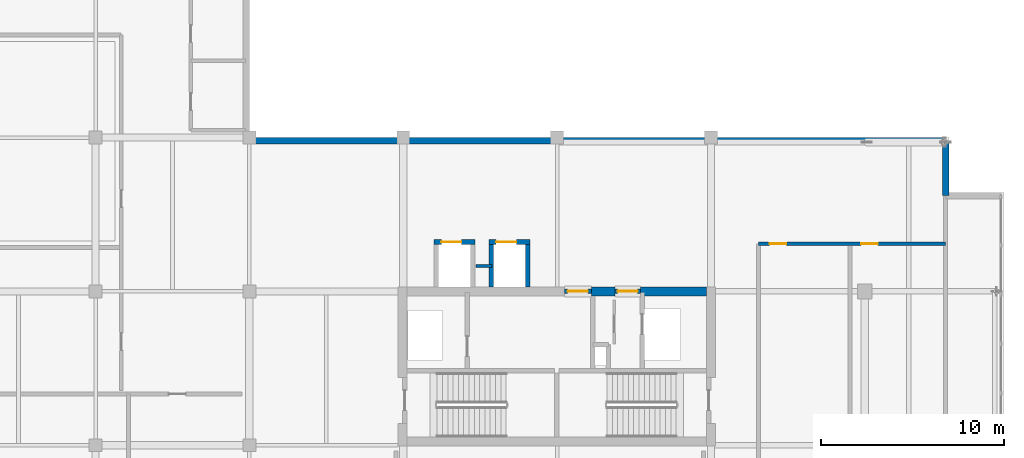
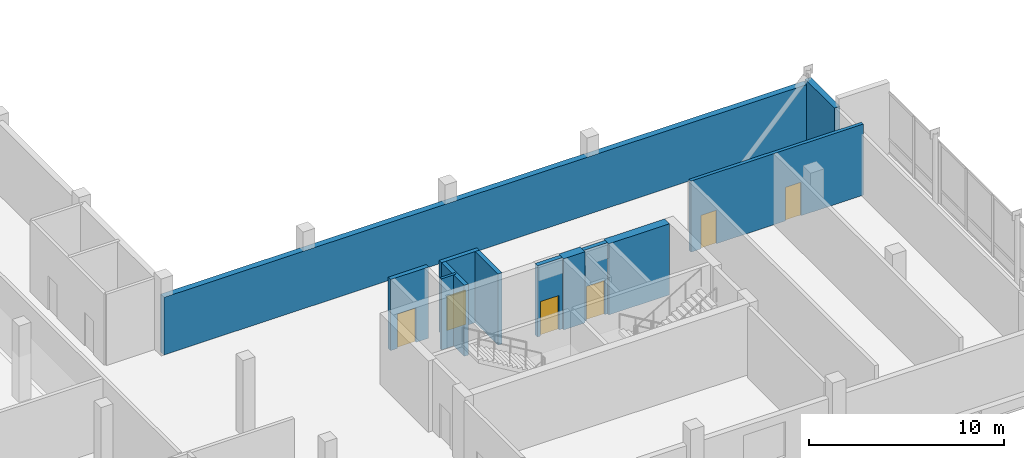
# One storey, part 11 of 18: 12 walls, 6 doors, 6 openings.
"""IFC4 building model written with IfcOpenShell, lengths in metres."""

from ifc_helpers import new_model, si_unit, direction, frame, frame_2d, origin, place, context, subcontext, project, spatial, rectangle, extrude, material, layer, layer_set, type_object, element, fill, save


model = new_model("IFC4")

# Units and contexts
model_context = context("Model", 3, precision=1e-05, world=origin(), true_north=direction((0.0, 1.0)))
body_context = subcontext(model_context, "Body", "Model", "MODEL_VIEW")
ifc_project = project(units=[si_unit("LENGTHUNIT", "METRE"), si_unit("AREAUNIT", "SQUARE_METRE"), si_unit("VOLUMEUNIT", "CUBIC_METRE"), si_unit("PLANEANGLEUNIT", "RADIAN"), si_unit("MASSUNIT", "GRAM", prefix="KILO")], contexts=[model_context])

# Site, building, storey
site_placement = place(None, origin())
site = spatial("IfcSite", under=ifc_project, at=site_placement, CompositionType="ELEMENT")
building_placement = place(site_placement, origin())
building = spatial("IfcBuilding", under=site, at=building_placement, Name="Koriwani Terraces Tower", CompositionType="ELEMENT")
storey_placement = place(building_placement, frame((0.0, 0.0, 363.800048828125)))
storey = spatial("IfcBuildingStorey", under=building, at=storey_placement, Name="L90", CompositionType="ELEMENT", Elevation=363.800048828125)

# Walls
ifc_material_1 = material(Name="Concrete C50/60", Category="concrete")
ifc_layer_1 = layer(ifc_material_1, 0.5, Name="Concrete C50/60")
ifc_layer_set_1 = layer_set([ifc_layer_1], Name="Concrete C50/60")
wall_type_1 = type_object("IfcWallType", Name="WALL_CORE_RC_500", PredefinedType="SHEAR", material=ifc_layer_set_1)
wall_1_placement = place(storey_placement, frame((52.280029296875, 25.199951171875, 0.0), z_axis=(0.0, 0.0, 1.0), x_axis=(1.0, 0.0, 0.0)))
element("IfcWall", 1, at=wall_1_placement, inside=storey, type_object=wall_type_1, Name="L90 East Split Core Shear Wall N2", PredefinedType="SHEAR", context=body_context, shape_type="SweptSolid", body=[
    extrude(rectangle(XDim=1.27001953125, YDim=0.5, at=frame_2d((0.635009765625, 0.0))), origin(), (0.0, 0.0, 1.0), 4.449951171875),
])
wall_2_placement = place(storey_placement, frame((54.949951171875, 25.199951171875, 0.0), z_axis=(0.0, 0.0, 1.0), x_axis=(1.0, 0.0, 0.0)))
element("IfcWall", 2, at=wall_2_placement, inside=storey, type_object=wall_type_1, Name="L90 East Split Core Shear Wall N3", PredefinedType="SHEAR", context=body_context, shape_type="SweptSolid", body=[
    extrude(rectangle(XDim=3.60009765625, YDim=0.5, at=frame_2d((1.800048828125, 0.0))), origin(), (0.0, 0.0, 1.0), 4.449951171875),
])

# Wall, openings, doors
ifc_material_2 = material(Name="Autoclaved Cellular Concrete Blockwork", Category="masonry")
ifc_layer_2 = layer(ifc_material_2, 0.199951171875, Name="Autoclaved Cellular Concrete Blockwork")
ifc_layer_set_2 = layer_set([ifc_layer_2], Name="Autoclaved Cellular Concrete Blockwork")
wall_type_2 = type_object("IfcWallType", Name="WALL_CORRIDOR_200", PredefinedType="PARTITIONING", material=ifc_layer_set_2)
wall_3_placement = place(storey_placement, frame((61.39990234375, 27.800048828125, 0.0), z_axis=(0.0, 0.0, 1.0), x_axis=(1.0, 0.0, 0.0)))
wall_3 = element("IfcWall", 3, at=wall_3_placement, inside=storey, type_object=wall_type_2, Name="L90 Interior Wall WSKY-E1-L90", PredefinedType="PARTITIONING", context=body_context, shape_type="SweptSolid", body=[
    extrude(rectangle(XDim=10.2001953125, YDim=0.199951171875, at=frame_2d((5.10009765625, 0.0))), origin(), (0.0, 0.0, 1.0), 4.449951171875),
])
opening_1_placement = place(wall_3_placement, frame((0.60009765625, 0.0, 0.0)))
opening_1 = element("IfcOpeningElement", 4, at=opening_1_placement, cuts=wall_3, Name="Opening D-06", PredefinedType="OPENING", context=body_context, shape_type="SweptSolid", body=[
    extrude(rectangle(XDim=0.919921875, YDim=2.10009765625, at=frame_2d((0.4599609375, 1.050048828125))), frame((0.0, 0.10986328125, 0.0), z_axis=(0.0, -1.0, 0.0), x_axis=(1.0, 0.0, 0.0)), (0.0, 0.0, 1.0), 0.219970703125),
])
opening_2_placement = place(wall_3_placement, frame((5.60009765625, 0.0, 0.0)))
opening_2 = element("IfcOpeningElement", 5, at=opening_2_placement, cuts=wall_3, Name="Opening D-06", PredefinedType="OPENING", context=body_context, shape_type="SweptSolid", body=[
    extrude(rectangle(XDim=0.919921875, YDim=2.10009765625, at=frame_2d((0.4599609375, 1.050048828125))), frame((0.0, 0.10986328125, 0.0), z_axis=(0.0, -1.0, 0.0), x_axis=(1.0, 0.0, 0.0)), (0.0, 0.0, 1.0), 0.219970703125),
])
ifc_material_3 = material(Name="Architectural Oak Fire Door", Category="wood")
door_type_1 = type_object("IfcDoorType", Name="DOOR_ROOM_INT_920X2100", OperationType="NOTDEFINED", PredefinedType="DOOR", material=ifc_material_3)
door_1_placement = place(opening_1_placement, origin())
door_1 = element("IfcDoor", 6, at=door_1_placement, inside=storey, type_object=door_type_1, Name="L90 South Panorama Lounge Door", OperationType="SINGLE_SWING_RIGHT", OverallHeight=2.10009765625, OverallWidth=0.919921875, PredefinedType="DOOR", context=body_context, shape_type="SweptSolid", body=[
    extrude(rectangle(XDim=0.919921875, YDim=2.10009765625, at=frame_2d((0.4599609375, 1.050048828125))), frame((0.0, 0.02490234375, 0.0), z_axis=(0.0, -1.0, 0.0), x_axis=(1.0, 0.0, 0.0)), (0.0, 0.0, 1.0), 0.050048828125),
])
fill(opening_1, door_1)
door_2_placement = place(opening_2_placement, origin())
door_2 = element("IfcDoor", 7, at=door_2_placement, inside=storey, type_object=door_type_1, Name="L90 Cantilevered Sky Lounge Door", OperationType="SINGLE_SWING_LEFT", OverallHeight=2.10009765625, OverallWidth=0.919921875, PredefinedType="DOOR", context=body_context, shape_type="SweptSolid", body=[
    extrude(rectangle(XDim=0.919921875, YDim=2.10009765625, at=frame_2d((0.4599609375, 1.050048828125))), frame((0.0, 0.02490234375, 0.0), z_axis=(0.0, -1.0, 0.0), x_axis=(1.0, 0.0, 0.0)), (0.0, 0.0, 1.0), 0.050048828125),
])
fill(opening_2, door_2)

# Walls
ifc_layer_3 = layer(ifc_material_1, 0.35009765625, Name="Concrete C50/60")
ifc_layer_set_3 = layer_set([ifc_layer_3], Name="Concrete C50/60")
wall_type_3 = type_object("IfcWallType", Name="WALL_EXT_BRUTALIST_350", PredefinedType="STANDARD", material=ifc_layer_set_3)
wall_4_placement = place(storey_placement, frame((33.425048828125, 33.425048828125, 0.0), z_axis=(0.0, 0.0, 1.0), x_axis=(1.0, 0.0, 0.0)))
element("IfcWall", 8, at=wall_4_placement, inside=storey, type_object=wall_type_3, Name="L90 Fair-Faced Brutalist Exterior Wall (NE)", PredefinedType="STANDARD", context=body_context, shape_type="SweptSolid", body=[
    extrude(rectangle(XDim=38.199951171875, YDim=0.35009765625, at=frame_2d((19.10009765625, 0.0))), origin(), (0.0, 0.0, 1.0), 3.598876953125),
])
wall_5_placement = place(storey_placement, frame((71.625, 33.425048828125, 0.0), z_axis=(0.0, 0.0, 1.0), x_axis=(0.0, -1.0, 0.0)))
element("IfcWall", 9, at=wall_5_placement, inside=storey, type_object=wall_type_3, Name="L90 Fair-Faced Brutalist Exterior Wall (N10)", PredefinedType="STANDARD", context=body_context, shape_type="SweptSolid", body=[
    extrude(rectangle(XDim=3.0, YDim=0.35009765625, at=frame_2d((1.5, 0.0))), origin(), (0.0, 0.0, 1.0), 3.8388671875),
])

# Wall, opening, door
ifc_material_4 = material(Name="Concrete C40/50", Category="concrete")
ifc_layer_4 = layer(ifc_material_4, 0.25, Name="Concrete C40/50")
ifc_layer_set_4 = layer_set([ifc_layer_4], Name="Concrete C40/50")
wall_type_4 = type_object("IfcWallType", Name="WALL_SHAFT_RATED_250", PredefinedType="SOLIDWALL", material=ifc_layer_set_4)
wall_6_placement = place(storey_placement, frame((50.800048828125, 25.199951171875, 0.0), z_axis=(0.0, 0.0, 1.0), x_axis=(1.0, 0.0, 0.0)))
wall_6 = element("IfcWall", 10, at=wall_6_placement, inside=storey, type_object=wall_type_4, Name="L90 Interior Wall WIN-CE-L90-NP", PredefinedType="SOLIDWALL", context=body_context, shape_type="SweptSolid", body=[
    extrude(rectangle(XDim=1.47998046875, YDim=0.25, at=frame_2d((0.739990234375, 0.0))), origin(), (0.0, 0.0, 1.0), 4.449951171875),
])
opening_3_placement = place(wall_6_placement, frame((0.179931640625, 0.0, 0.0)))
opening_3 = element("IfcOpeningElement", 11, at=opening_3_placement, cuts=wall_6, Name="Opening D-03", PredefinedType="OPENING", context=body_context, shape_type="SweptSolid", body=[
    extrude(rectangle(XDim=1.10009765625, YDim=2.14990234375, at=frame_2d((0.550048828125, 1.074951171875))), frame((0.0, 0.135009765625, 0.0), z_axis=(0.0, -1.0, 0.0), x_axis=(1.0, 0.0, 0.0)), (0.0, 0.0, 1.0), 0.27001953125),
])
ifc_material_5 = material(Name="Steel ASTM A572 Grade 50", Category="steel")
door_type_2 = type_object("IfcDoorType", Name="DOOR_STAIR_FIRE_1100X2150", OperationType="NOTDEFINED", PredefinedType="DOOR", material=ifc_material_5)
door_3_placement = place(opening_3_placement, origin())
door_3 = element("IfcDoor", 12, at=door_3_placement, inside=storey, type_object=door_type_2, Name="L90 East Firefighting Lobby Door", OperationType="SINGLE_SWING_LEFT", OverallHeight=2.14990234375, OverallWidth=1.10009765625, PredefinedType="DOOR", context=body_context, shape_type="SweptSolid", body=[
    extrude(rectangle(XDim=1.10009765625, YDim=2.14990234375, at=frame_2d((0.550048828125, 1.074951171875))), frame((0.0, 0.02490234375, 0.0), z_axis=(0.0, -1.0, 0.0), x_axis=(1.0, 0.0, 0.0)), (0.0, 0.0, 1.0), 0.050048828125),
])
fill(opening_3, door_3)

wall_7_placement = place(storey_placement, frame((53.550048828125, 25.199951171875, 0.0), z_axis=(0.0, 0.0, 1.0), x_axis=(1.0, 0.0, 0.0)))
wall_7 = element("IfcWall", 13, at=wall_7_placement, inside=storey, type_object=wall_type_4, Name="L90 Interior Wall WIN-CE-L90-NP2", PredefinedType="SOLIDWALL", context=body_context, shape_type="SweptSolid", body=[
    extrude(rectangle(XDim=1.39990234375, YDim=0.25, at=frame_2d((0.699951171875, 0.0))), origin(), (0.0, 0.0, 1.0), 4.449951171875),
])
opening_4_placement = place(wall_7_placement, frame((0.14990234375, 0.0, 0.0)))
opening_4 = element("IfcOpeningElement", 14, at=opening_4_placement, cuts=wall_7, Name="Opening D-03", PredefinedType="OPENING", context=body_context, shape_type="SweptSolid", body=[
    extrude(rectangle(XDim=1.10009765625, YDim=2.14990234375, at=frame_2d((0.550048828125, 1.074951171875))), frame((0.0, 0.135009765625, 0.0), z_axis=(0.0, -1.0, 0.0), x_axis=(1.0, 0.0, 0.0)), (0.0, 0.0, 1.0), 0.27001953125),
])
door_4_placement = place(opening_4_placement, origin())
door_4 = element("IfcDoor", 15, at=door_4_placement, inside=storey, type_object=door_type_2, Name="L90 East Goods Lift Lobby Door", OperationType="SINGLE_SWING_RIGHT", OverallHeight=2.14990234375, OverallWidth=1.10009765625, PredefinedType="DOOR", context=body_context, shape_type="SweptSolid", body=[
    extrude(rectangle(XDim=1.10009765625, YDim=2.14990234375, at=frame_2d((0.550048828125, 1.074951171875))), frame((0.0, 0.02490234375, 0.0), z_axis=(0.0, -1.0, 0.0), x_axis=(1.0, 0.0, 0.0)), (0.0, 0.0, 1.0), 0.050048828125),
])
fill(opening_4, door_4)

wall_8_placement = place(storey_placement, frame((43.675048828125, 27.89990234375, 0.0), z_axis=(0.0, 0.0, 1.0), x_axis=(1.0, 0.0, 0.0)))
wall_8 = element("IfcWall", 16, at=wall_8_placement, inside=storey, type_object=wall_type_4, Name="L90 Interior Wall WIN-LF-PE-H3-L90-F", PredefinedType="SOLIDWALL", context=body_context, shape_type="SweptSolid", body=[
    extrude(rectangle(XDim=2.25, YDim=0.25, at=frame_2d((1.125, 0.0))), origin(), (0.0, 0.0, 1.0), 4.449951171875),
])
opening_5_placement = place(wall_8_placement, frame((0.39990234375, 0.0, 0.0)))
opening_5 = element("IfcOpeningElement", 17, at=opening_5_placement, cuts=wall_8, Name="Opening LD-01", PredefinedType="OPENING", context=body_context, shape_type="SweptSolid", body=[
    extrude(rectangle(XDim=1.10009765625, YDim=2.14990234375, at=frame_2d((0.550048828125, 1.074951171875))), frame((0.0, 0.135009765625, 0.0), z_axis=(0.0, -1.0, 0.0), x_axis=(1.0, 0.0, 0.0)), (0.0, 0.0, 1.0), 0.27001953125),
])
door_type_3 = type_object("IfcDoorType", Name="DOOR_LIFT_LANDING_1100X2200", OperationType="NOTDEFINED", PredefinedType="DOOR", material=ifc_material_5)
door_5_placement = place(opening_5_placement, origin())
door_5 = element("IfcDoor", 18, at=door_5_placement, inside=storey, type_object=door_type_3, Name="L90 Passenger Lift PE-H3 Landing Door", OperationType="SLIDING_TO_LEFT", OverallHeight=2.14990234375, OverallWidth=1.10009765625, PredefinedType="DOOR", context=body_context, shape_type="SweptSolid", body=[
    extrude(rectangle(XDim=1.10009765625, YDim=2.14990234375, at=frame_2d((0.550048828125, 1.074951171875))), frame((0.0, 0.02490234375, 0.0), z_axis=(0.0, -1.0, 0.0), x_axis=(1.0, 0.0, 0.0)), (0.0, 0.0, 1.0), 0.050048828125),
])
fill(opening_5, door_5)

wall_9_placement = place(storey_placement, frame((46.675048828125, 27.89990234375, 0.0), z_axis=(0.0, 0.0, 1.0), x_axis=(1.0, 0.0, 0.0)))
wall_9 = element("IfcWall", 19, at=wall_9_placement, inside=storey, type_object=wall_type_4, Name="L90 Interior Wall WIN-LF-PE-H4-L90-F", PredefinedType="SOLIDWALL", context=body_context, shape_type="SweptSolid", body=[
    extrude(rectangle(XDim=2.25, YDim=0.25, at=frame_2d((1.125, 0.0))), origin(), (0.0, 0.0, 1.0), 4.449951171875),
])
opening_6_placement = place(wall_9_placement, frame((0.39990234375, 0.0, 0.0)))
opening_6 = element("IfcOpeningElement", 20, at=opening_6_placement, cuts=wall_9, Name="Opening LD-01", PredefinedType="OPENING", context=body_context, shape_type="SweptSolid", body=[
    extrude(rectangle(XDim=1.10009765625, YDim=2.14990234375, at=frame_2d((0.550048828125, 1.074951171875))), frame((0.0, 0.135009765625, 0.0), z_axis=(0.0, -1.0, 0.0), x_axis=(1.0, 0.0, 0.0)), (0.0, 0.0, 1.0), 0.27001953125),
])
door_6_placement = place(opening_6_placement, origin())
door_6 = element("IfcDoor", 21, at=door_6_placement, inside=storey, type_object=door_type_3, Name="L90 Passenger Lift PE-H4 Landing Door", OperationType="SLIDING_TO_LEFT", OverallHeight=2.14990234375, OverallWidth=1.10009765625, PredefinedType="DOOR", context=body_context, shape_type="SweptSolid", body=[
    extrude(rectangle(XDim=1.10009765625, YDim=2.14990234375, at=frame_2d((0.550048828125, 1.074951171875))), frame((0.0, 0.02490234375, 0.0), z_axis=(0.0, -1.0, 0.0), x_axis=(1.0, 0.0, 0.0)), (0.0, 0.0, 1.0), 0.050048828125),
])
fill(opening_6, door_6)

# Walls
for number, where, z_axis, x_axis, name in (
    (22, (46.800048828125, 25.449951171875, 0.0), (0.0, 0.0, 1.0), (0.0, 1.0, 0.0), "L90 Interior Wall WIN-LF-PE-H4-L90-W"),
    (23, (48.800048828125, 25.449951171875, 0.0), (0.0, 0.0, 1.0), (0.0, 1.0, 0.0), "L90 Interior Wall WIN-LF-PE-H4-L90-E"),
):
    element("IfcWall", number, at=place(storey_placement, frame(where, z_axis=z_axis, x_axis=x_axis)), inside=storey, type_object=wall_type_4, Name=name, PredefinedType="SOLIDWALL", context=body_context, shape_type="SweptSolid", body=[
        extrude(rectangle(XDim=2.324951171875, YDim=0.25, at=frame_2d((1.16259765625, 0.0))), origin(), (0.0, 0.0, 1.0), 4.449951171875),
    ])
ifc_material_6 = material(Name="Fire-Rated Acoustic Gypsum Partition", Category="masonry")
ifc_layer_5 = layer(ifc_material_6, 0.159912109375, Name="Fire-Rated Acoustic Gypsum Partition")
ifc_layer_set_5 = layer_set([ifc_layer_5], Name="Fire-Rated Acoustic Gypsum Partition")
wall_type_5 = type_object("IfcWallType", Name="WALL_SUITE_160", PredefinedType="PARTITIONING", material=ifc_layer_set_5)
wall_10_placement = place(storey_placement, frame((45.9599609375, 26.60009765625, 0.0), z_axis=(0.0, 0.0, 1.0), x_axis=(1.0, 0.0, 0.0)))
element("IfcWall", 24, at=wall_10_placement, inside=storey, type_object=wall_type_5, Name="L90 Interior Wall WIN-LF-PEH34-MID-L90", PredefinedType="PARTITIONING", context=body_context, shape_type="SweptSolid", body=[
    extrude(rectangle(XDim=0.880126953125, YDim=0.159912109375, at=frame_2d((0.43994140625, 0.0))), origin(), (0.0, 0.0, 1.0), 4.449951171875),
])

save(model, "model.ifc")
